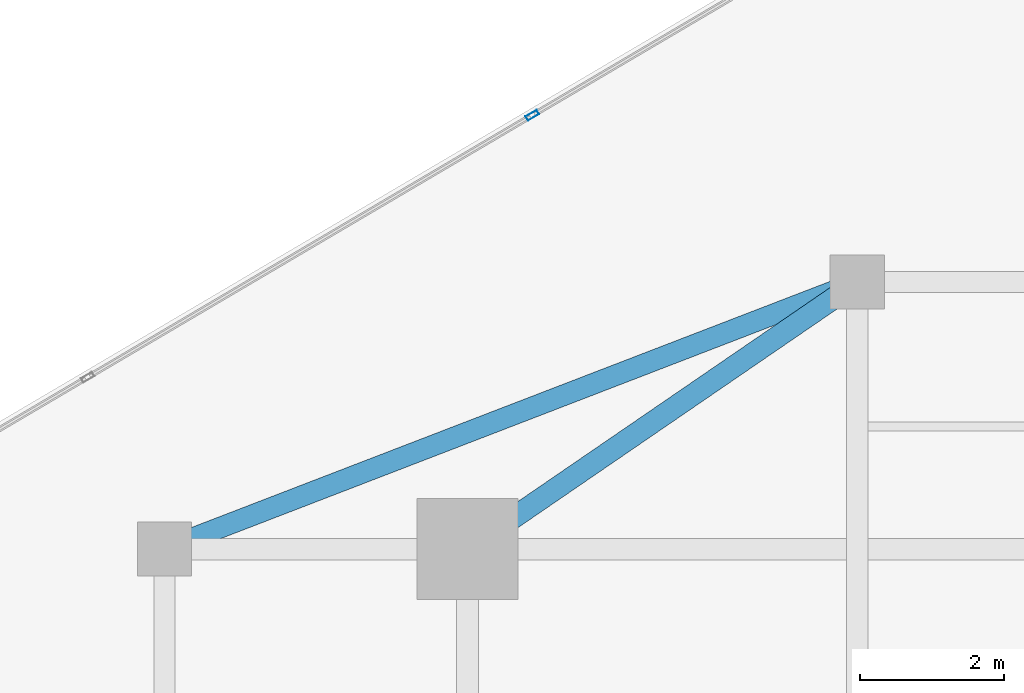
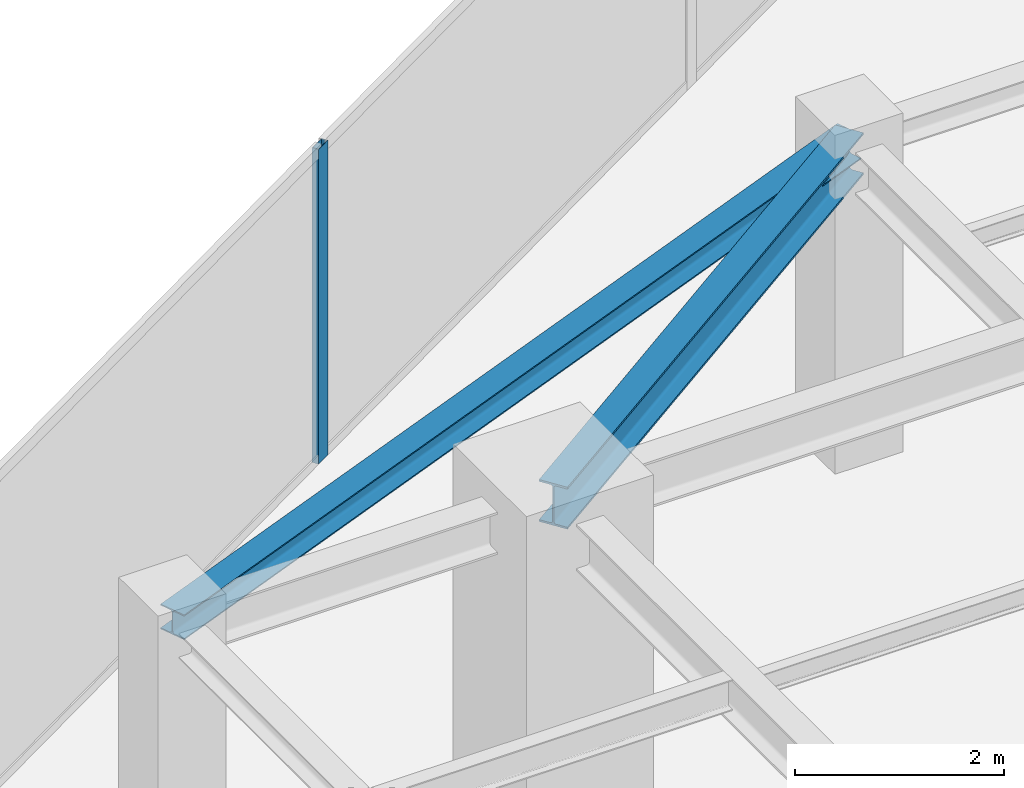
# One storey, part 12 of 20: 2 beams, 1 member, 1 element without a shape of its own.
"""IFC4 building model written with IfcOpenShell, lengths in metres."""

from ifc_helpers import new_model, si_unit, direction, frame, origin, origin_2d, place, context, subcontext, project, spatial, hollow_rectangle, i_section, extrude, source, transform, mapped, material, material_profile, profile_set, type_object, type_shapes, element, aggregate, save


model = new_model("IFC4")

# Units and contexts
model_context = context("Model", 3, precision=1e-05, world=origin(), true_north=direction((0.0, 1.0)))
body_context = subcontext(model_context, "Body", "Model", "MODEL_VIEW")
ifc_project = project(units=[si_unit("LENGTHUNIT", "METRE"), si_unit("AREAUNIT", "SQUARE_METRE"), si_unit("VOLUMEUNIT", "CUBIC_METRE"), si_unit("PLANEANGLEUNIT", "RADIAN"), si_unit("MASSUNIT", "GRAM", prefix="KILO")], contexts=[model_context])

# Site, building, storey
site_placement = place(None, origin())
site = spatial("IfcSite", under=ifc_project, at=site_placement, CompositionType="ELEMENT")
building_placement = place(site_placement, origin())
building = spatial("IfcBuilding", under=site, at=building_placement, Name="Krantzveldt Concourse Tower", CompositionType="ELEMENT")
storey_placement = place(building_placement, frame((0.0, 0.0, 295.050048828125)))
storey = spatial("IfcBuildingStorey", under=building, at=storey_placement, Name="L72", CompositionType="ELEMENT", Elevation=295.050048828125)

# Beams
ifc_material_1 = material(Name="Steel S355JR", Category="steel")
ifc_material_profile_1 = material_profile(ifc_material_1, i_section(OverallWidth=0.300048828125, OverallDepth=0.489990234375, WebThickness=0.011962890625, FlangeThickness=0.02294921875, FilletRadius=0.027099609375, at=origin_2d()), Name="Steel S355JR", Category="steel")
ifc_profile_set_1 = profile_set([ifc_material_profile_1], Name="Steel S355JR - HEA 500")
beam_type_1 = type_object("IfcBeamType", Name="BM-B-HEA500", PredefinedType="BEAM", material=ifc_profile_set_1)
shared_shape_1 = source(origin(), body_context, "Body", "SweptSolid", [
    extrude(i_section(OverallWidth=0.300048828125, OverallDepth=0.489990234375, WebThickness=0.011962890625, FlangeThickness=0.02294921875, FilletRadius=0.027099609375, at=origin_2d()), origin(), (0.0, 0.0, 1.0), 6.546142578125),
])
type_shapes(beam_type_1, [shared_shape_1])
beam_1_placement = place(storey_placement, frame((25.199951171875, 37.5, 3.425048828125), z_axis=(0.824942999484, 0.565215930068, 0.0), x_axis=(-0.565215930068, 0.824942999484, 0.0)))
element("IfcBeam", 1, at=beam_1_placement, inside=storey, type_object=beam_type_1, Name="L72 Tower Girder BR-RL4", PredefinedType="BEAM", context=body_context, shape_type="MappedRepresentation", body=[
    mapped(shared_shape_1, transform((0.0, 0.0, 0.0), x_axis=(1.0, 0.0, 0.0), y_axis=(0.0, 1.0, 0.0), z_axis=(0.0, 0.0, 1.0), scale=1.0)),
])
ifc_material_profile_2 = material_profile(ifc_material_1, i_section(OverallWidth=0.2900390625, OverallDepth=0.2900390625, WebThickness=0.008544921875, FlangeThickness=0.013916015625, FilletRadius=0.027099609375, at=origin_2d()), Name="Steel S355JR", Category="steel")
ifc_profile_set_2 = profile_set([ifc_material_profile_2], Name="Steel S355JR - HEA 300")
beam_type_2 = type_object("IfcBeamType", Name="BM-SP-HEA300", PredefinedType="SPANDREL", material=ifc_profile_set_2)
shared_shape_2 = source(origin(), body_context, "Body", "SweptSolid", [
    extrude(i_section(OverallWidth=0.2900390625, OverallDepth=0.2900390625, WebThickness=0.008544921875, FlangeThickness=0.013916015625, FilletRadius=0.027099609375, at=origin_2d()), origin(), (0.0, 0.0, 1.0), 10.288330078125),
])
type_shapes(beam_type_2, [shared_shape_2])
beam_2_placement = place(storey_placement, frame((21.0, 37.5, 3.52490234375), z_axis=(0.933097690408, 0.359622997257, 0.0), x_axis=(-0.359622997257, 0.933097690408, 0.0)))
element("IfcBeam", 2, at=beam_2_placement, inside=storey, type_object=beam_type_2, Name="L72 Tower Girder SP-R03", PredefinedType="SPANDREL", context=body_context, shape_type="MappedRepresentation", body=[
    mapped(shared_shape_2, transform((0.0, 0.0, 0.0), x_axis=(1.0, 0.0, 0.0), y_axis=(0.0, 1.0, 0.0), z_axis=(0.0, 0.0, 1.0), scale=1.0)),
])

# Curtain wall, member
ifc_material_2 = material(Name="Anodised aluminium 6063-T6", Category="aluminium")
curtain_wall_type = type_object("IfcCurtainWallType", Name="CW4", PredefinedType="USERDEFINED", material=ifc_material_2)
curtain_wall_placement = place(storey_placement, origin())
curtain_wall = element("IfcCurtainWall", 3, at=curtain_wall_placement, inside=storey, type_object=curtain_wall_type, Name="CW-L72-F01", ObjectType="UNITISED CURTAIN WALL", PredefinedType="USERDEFINED")
ifc_material_profile_3 = material_profile(ifc_material_2, hollow_rectangle(XDim=0.070068359375, YDim=0.179931640625, WallThickness=0.0048828125, at=origin_2d()), Name="Anodised aluminium 6063-T6", Category="aluminium")
ifc_profile_set_3 = profile_set([ifc_material_profile_3], Name="Anodised aluminium 6063-T6 - ALU-MULL 180x70x5")
member_type = type_object("IfcMemberType", Name="CW-MUL-180", PredefinedType="MULLION", material=ifc_profile_set_3)
shared_shape_3 = source(origin(), body_context, "Body", "SweptSolid", [
    extrude(hollow_rectangle(XDim=0.070068359375, YDim=0.179931640625, WallThickness=0.0048828125, at=origin_2d()), origin(), (0.0, 0.0, 1.0), 3.669921875),
])
type_shapes(member_type, [shared_shape_3])
member_placement = place(storey_placement, frame((26.097900390625, 43.510498046875, 0.0), z_axis=(0.0, 0.0, 1.0), x_axis=(0.507538344223, -0.861629171479, 0.0)))
member = element("IfcMember", 4, at=member_placement, type_object=member_type, Name="CW-Z56 mullion 3", PredefinedType="MULLION", context=body_context, shape_type="MappedRepresentation", body=[
    mapped(shared_shape_3, transform((0.0, 0.0, 0.0), x_axis=(1.0, 0.0, 0.0), y_axis=(0.0, 1.0, 0.0), z_axis=(0.0, 0.0, 1.0), scale=1.0)),
])
aggregate(curtain_wall, [member])

save(model, "model.ifc")
